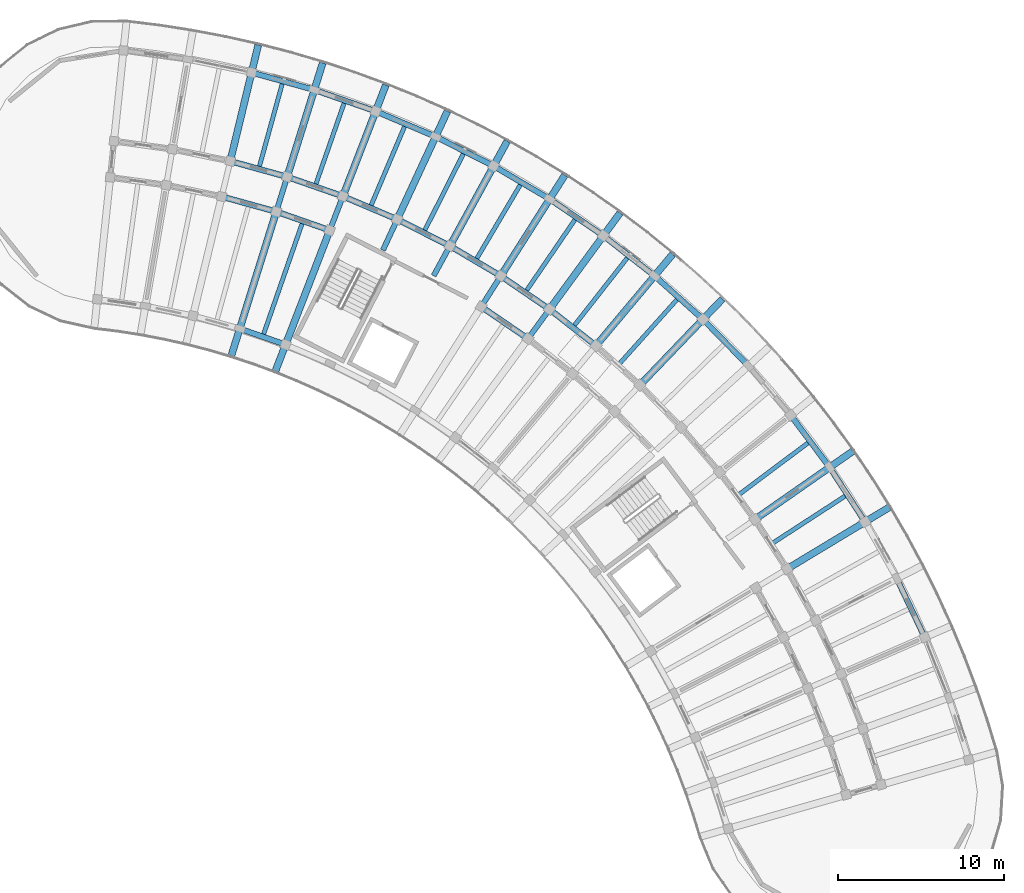
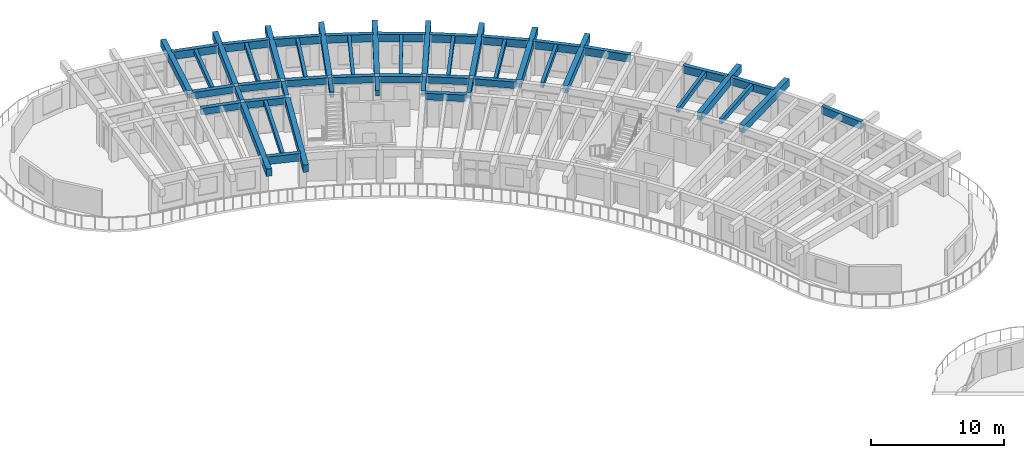
# One storey, part 28 of 81: 53 beams.
"""IFC4 building model written with IfcOpenShell, lengths in metres."""

from ifc_helpers import new_model, si_unit, direction, frame, origin, origin_2d, place, context, subcontext, project, spatial, rectangle, extrude, material, material_profile, profile_set, type_object, element, save


model = new_model("IFC4")

# Units and contexts
model_context = context("Model", 3, precision=1e-05, world=origin(), true_north=direction((0.0, 1.0)))
body_context = subcontext(model_context, "Body", "Model", "MODEL_VIEW")
ifc_project = project(units=[si_unit("LENGTHUNIT", "METRE"), si_unit("AREAUNIT", "SQUARE_METRE"), si_unit("VOLUMEUNIT", "CUBIC_METRE"), si_unit("PLANEANGLEUNIT", "RADIAN"), si_unit("MASSUNIT", "GRAM", prefix="KILO")], contexts=[model_context])

# Site, building, storey
site_placement = place(None, origin())
site = spatial("IfcSite", under=ifc_project, at=site_placement, CompositionType="ELEMENT")
building_placement = place(site_placement, origin())
building = spatial("IfcBuilding", under=site, at=building_placement, Name="Tanwirah Colonnade Gardens", CompositionType="ELEMENT")
storey_placement = place(building_placement, frame((0.0, 0.0, 18.919921875)))
storey = spatial("IfcBuildingStorey", under=building, at=storey_placement, Name="L05", CompositionType="ELEMENT", Elevation=18.919921875)

# Beams
ifc_material_1 = material(Name="Precast concrete C40/50", Category="concrete")
ifc_material_profile_1 = material_profile(ifc_material_1, rectangle(XDim=0.320068359375, YDim=0.52001953125, at=origin_2d()), Name="PC-BM 320x520")
ifc_profile_set_1 = profile_set([ifc_material_profile_1], Name="Precast concrete C40/50")
beam_type_1 = type_object("IfcBeamType", Name="BM-PC320", PredefinedType="BEAM", material=ifc_profile_set_1)
beam_1_placement = place(storey_placement, frame((151.727783203125, 102.14990234375, 2.85009765625), z_axis=(0.590895676149, 0.806747977939, 0.0), x_axis=(-0.806747977939, 0.590895676149, 0.0)))
element("IfcBeam", 1, at=beam_1_placement, inside=storey, type_object=beam_type_1, Name="Block B L05 Corridor Tie Beam 10", PredefinedType="BEAM", context=body_context, shape_type="SweptSolid", body=[
    extrude(rectangle(XDim=0.320068359375, YDim=0.52001953125, at=origin_2d()), origin(), (0.0, 0.0, 1.0), 1.900146484375),
])
for number, where, z_axis, x_axis, name in (
    (2, (148.89697265625, 104.08349609375, 2.85009765625), (0.536509579595, 0.843894229749, 0.0), (-0.843894229749, 0.536509579595, 0.0), "Block B L05 Corridor Tie Beam 11"),
    (3, (145.945068359375, 105.826171875, 2.85009765625), (0.479707235792, 0.877428611301, 0.0), (-0.877428611301, 0.479707235792, 0.0), "Block B L05 Corridor Tie Beam 12"),
    (4, (142.884765625, 107.37060546875, 2.85009765625), (0.420858322681, 0.90712638162, 0.0), (-0.90712638162, 0.420858322681, 0.0), "Block B L05 Corridor Tie Beam 13"),
    (5, (139.729248046875, 108.7099609375, 2.85009765625), (0.360175656082, 0.932884503444, 0.0), (-0.932884503444, 0.360175656082, 0.0), "Block B L05 Corridor Tie Beam 14"),
    (6, (136.492431640625, 109.838623046875, 2.85009765625), (0.297857918398, 0.954610213882, 0.0), (-0.954610213882, 0.297857918398, 0.0), "Block B L05 Corridor Tie Beam 15"),
):
    element("IfcBeam", number, at=place(storey_placement, frame(where, z_axis=z_axis, x_axis=x_axis)), inside=storey, type_object=beam_type_1, Name=name, PredefinedType="BEAM", context=body_context, shape_type="SweptSolid", body=[
        extrude(rectangle(XDim=0.320068359375, YDim=0.52001953125, at=origin_2d()), origin(), (0.0, 0.0, 1.0), 1.89990234375),
    ])
ifc_material_profile_2 = material_profile(ifc_material_1, rectangle(XDim=0.35009765625, YDim=0.60009765625, at=origin_2d()), Name="PC-BM 350x600")
ifc_profile_set_2 = profile_set([ifc_material_profile_2], Name="Precast concrete C40/50")
beam_type_2 = type_object("IfcBeamType", Name="BM-PC350B", PredefinedType="BEAM", material=ifc_profile_set_2)
beam_2_placement = place(storey_placement, frame((155.624755859375, 101.697265625, 2.81005859375), z_axis=(-0.786839882256, 0.617157192044, 0.0), x_axis=(-0.617157192044, -0.786839882256, 0.0)))
element("IfcBeam", 7, at=beam_2_placement, inside=storey, type_object=beam_type_2, Name="Block B L05 Circumferential Beam 9-R2", PredefinedType="BEAM", context=body_context, shape_type="SweptSolid", body=[
    extrude(rectangle(XDim=0.35009765625, YDim=0.60009765625, at=origin_2d()), origin(), (0.0, 0.0, 1.0), 3.26318359375),
])
beam_3_placement = place(storey_placement, frame((151.515380859375, 102.113525390625, 2.81005859375), z_axis=(-0.825758291455, 0.564024152047, 0.0), x_axis=(-0.564024152047, -0.825758291455, 0.0)))
element("IfcBeam", 8, at=beam_3_placement, inside=storey, type_object=beam_type_2, Name="Block B L05 Circumferential Beam 10-R1", PredefinedType="BEAM", context=body_context, shape_type="SweptSolid", body=[
    extrude(rectangle(XDim=0.35009765625, YDim=0.60009765625, at=origin_2d()), origin(), (0.0, 0.0, 1.0), 3.118408203125),
])
for number, where, z_axis, x_axis, name in (
    (9, (152.815185546875, 103.888427734375, 2.81005859375), (-0.825782284145, 0.563989024, 0.0), (-0.563989024, -0.825782284145, 0.0), "Block B L05 Circumferential Beam 10-R2"),
    (10, (149.86767578125, 105.8896484375, 2.81005859375), (-0.861134978964, 0.508376384193, 0.0), (-0.508376384193, -0.861134978964, 0.0), "Block B L05 Circumferential Beam 11-R2"),
    (11, (146.794677734375, 107.6923828125, 2.81005859375), (-0.89276014323, 0.450532270387, 0.0), (-0.450532270387, -0.89276014323, 0.0), "Block B L05 Circumferential Beam 12-R2"),
):
    element("IfcBeam", number, at=place(storey_placement, frame(where, z_axis=z_axis, x_axis=x_axis)), inside=storey, type_object=beam_type_2, Name=name, PredefinedType="BEAM", context=body_context, shape_type="SweptSolid", body=[
        extrude(rectangle(XDim=0.35009765625, YDim=0.60009765625, at=origin_2d()), origin(), (0.0, 0.0, 1.0), 3.26318359375),
    ])
beam_4_placement = place(storey_placement, frame((143.609375, 109.288818359375, 2.81005859375), z_axis=(-0.920513294115, 0.390711242938, 0.0), x_axis=(-0.390711242938, -0.920513294115, 0.0)))
element("IfcBeam", 12, at=beam_4_placement, inside=storey, type_object=beam_type_2, Name="Block B L05 Circumferential Beam 13-R2", PredefinedType="BEAM", context=body_context, shape_type="SweptSolid", body=[
    extrude(rectangle(XDim=0.35009765625, YDim=0.60009765625, at=origin_2d()), origin(), (0.0, 0.0, 1.0), 3.262939453125),
])
beam_5_placement = place(storey_placement, frame((139.53369140625, 108.619384765625, 2.81005859375), z_axis=(-0.944248304077, 0.329234172358, 0.0), x_axis=(-0.329234172358, -0.944248304077, 0.0)))
element("IfcBeam", 13, at=beam_5_placement, inside=storey, type_object=beam_type_2, Name="Block B L05 Circumferential Beam 14-R1", PredefinedType="BEAM", context=body_context, shape_type="SweptSolid", body=[
    extrude(rectangle(XDim=0.35009765625, YDim=0.60009765625, at=origin_2d()), origin(), (0.0, 0.0, 1.0), 3.1181640625),
])
beam_6_placement = place(storey_placement, frame((140.325927734375, 110.671630859375, 2.81005859375), z_axis=(-0.944231021702, 0.329283734272, 0.0), x_axis=(-0.329283734272, -0.944231021702, 0.0)))
element("IfcBeam", 14, at=beam_6_placement, inside=storey, type_object=beam_type_2, Name="Block B L05 Circumferential Beam 14-R2", PredefinedType="BEAM", context=body_context, shape_type="SweptSolid", body=[
    extrude(rectangle(XDim=0.35009765625, YDim=0.60009765625, at=origin_2d()), origin(), (0.0, 0.0, 1.0), 3.262939453125),
])
beam_7_placement = place(storey_placement, frame((136.302978515625, 109.7353515625, 2.81005859375), z_axis=(-0.963889412906, 0.266302834548, 0.0), x_axis=(-0.266302834548, -0.963889412906, 0.0)))
element("IfcBeam", 15, at=beam_7_placement, inside=storey, type_object=beam_type_2, Name="Block B L05 Circumferential Beam 15-R1", PredefinedType="BEAM", context=body_context, shape_type="SweptSolid", body=[
    extrude(rectangle(XDim=0.35009765625, YDim=0.60009765625, at=origin_2d()), origin(), (0.0, 0.0, 1.0), 3.117919921875),
])
beam_8_placement = place(storey_placement, frame((136.95849609375, 111.83544921875, 2.81005859375), z_axis=(-0.9638953302, 0.266281415833, 0.0), x_axis=(-0.266281415833, -0.9638953302, 0.0)))
element("IfcBeam", 16, at=beam_8_placement, inside=storey, type_object=beam_type_2, Name="Block B L05 Circumferential Beam 15-R2", PredefinedType="BEAM", context=body_context, shape_type="SweptSolid", body=[
    extrude(rectangle(XDim=0.35009765625, YDim=0.60009765625, at=origin_2d()), origin(), (0.0, 0.0, 1.0), 3.26318359375),
])
ifc_material_2 = material(Name="Precast concrete C45/55", Category="concrete")
ifc_material_profile_3 = material_profile(ifc_material_2, rectangle(XDim=0.419921875, YDim=0.679931640625, at=origin_2d()), Name="PC-BM 420x680")
ifc_profile_set_3 = profile_set([ifc_material_profile_3], Name="Precast concrete C45/55")
beam_type_3 = type_object("IfcBeamType", Name="BM-PC420", PredefinedType="BEAM", material=ifc_profile_set_3)
for number, where, z_axis, x_axis, name in (
    (17, (167.404296875, 88.205078125, 2.77001953125), (0.856157813984, 0.516714425533, 0.0), (-0.516714425533, 0.856157813984, 0.0), "Block B L05 Outer Radial Precast Girder 4"),
    (18, (165.458251953125, 91.20166015625, 2.77001953125), (0.820270158139, 0.571976282433, 0.0), (-0.571976282433, 0.820270158139, 0.0), "Block B L05 Outer Radial Precast Girder 5"),
    (19, (158.4990234375, 99.333984375, 2.77001953125), (0.691864746793, 0.722027127015, 0.0), (-0.722027127015, 0.691864746793, 0.0), "Block B L05 Outer Radial Precast Girder 8"),
):
    element("IfcBeam", number, at=place(storey_placement, frame(where, z_axis=z_axis, x_axis=x_axis)), inside=storey, type_object=beam_type_3, Name=name, PredefinedType="BEAM", context=body_context, shape_type="SweptSolid", body=[
        extrude(rectangle(XDim=0.419921875, YDim=0.679931640625, at=origin_2d()), origin(), (0.0, 0.0, 1.0), 7.050048828125),
    ])
beam_9_placement = place(storey_placement, frame((155.839111328125, 101.7197265625, 2.77001953125), z_axis=(0.642810291951, 0.766025409867, 0.0), x_axis=(-0.766025409867, 0.642810291951, 0.0)))
element("IfcBeam", 20, at=beam_9_placement, inside=storey, type_object=beam_type_3, Name="Block B L05 Outer Radial Precast Girder 9", PredefinedType="BEAM", context=body_context, shape_type="SweptSolid", body=[
    extrude(rectangle(XDim=0.419921875, YDim=0.679931640625, at=origin_2d()), origin(), (0.0, 0.0, 1.0), 7.0498046875),
])
for number, where, z_axis, x_axis, name in (
    (21, (153.02783203125, 103.9248046875, 2.77001953125), (0.590919194225, 0.806730751798, 0.0), (-0.806730751798, 0.590919194225, 0.0), "Block B L05 Outer Radial Precast Girder 10"),
    (22, (150.077392578125, 105.93994140625, 2.77001953125), (0.536451921133, 0.843930883611, 0.0), (-0.843930883611, 0.536451921133, 0.0), "Block B L05 Outer Radial Precast Girder 11"),
    (23, (147.00048828125, 107.75634765625, 2.77001953125), (0.479686549155, 0.877439920769, 0.0), (-0.877439920769, 0.479686549155, 0.0), "Block B L05 Outer Radial Precast Girder 12"),
    (24, (143.810546875, 109.3662109375, 2.77001953125), (0.420855908645, 0.9071275016, 0.0), (-0.9071275016, 0.420855908645, 0.0), "Block B L05 Outer Radial Precast Girder 13"),
):
    element("IfcBeam", number, at=place(storey_placement, frame(where, z_axis=z_axis, x_axis=x_axis)), inside=storey, type_object=beam_type_3, Name=name, PredefinedType="BEAM", context=body_context, shape_type="SweptSolid", body=[
        extrude(rectangle(XDim=0.419921875, YDim=0.679931640625, at=origin_2d()), origin(), (0.0, 0.0, 1.0), 7.050048828125),
    ])
beam_10_placement = place(storey_placement, frame((139.62109375, 108.43017578125, 2.77001953125), z_axis=(-0.360155980892, -0.932892099563, 0.0), x_axis=(0.932892099563, -0.360155980892, 0.0)))
element("IfcBeam", 25, at=beam_10_placement, inside=storey, type_object=beam_type_3, Name="Block B L05 Inner Radial Precast Girder 14", PredefinedType="BEAM", context=body_context, shape_type="SweptSolid", body=[
    extrude(rectangle(XDim=0.419921875, YDim=0.679931640625, at=origin_2d()), origin(), (0.0, 0.0, 1.0), 8.949951171875),
])
beam_11_placement = place(storey_placement, frame((140.521728515625, 110.76220703125, 2.77001953125), z_axis=(0.360150678391, 0.932894146651, 0.0), x_axis=(-0.932894146651, 0.360150678391, 0.0)))
element("IfcBeam", 26, at=beam_11_placement, inside=storey, type_object=beam_type_3, Name="Block B L05 Outer Radial Precast Girder 14", PredefinedType="BEAM", context=body_context, shape_type="SweptSolid", body=[
    extrude(rectangle(XDim=0.419921875, YDim=0.679931640625, at=origin_2d()), origin(), (0.0, 0.0, 1.0), 7.050048828125),
])
beam_12_placement = place(storey_placement, frame((136.403076171875, 109.55224609375, 2.77001953125), z_axis=(-0.29792861283, -0.9545881529, 0.0), x_axis=(0.9545881529, -0.29792861283, 0.0)))
element("IfcBeam", 27, at=beam_12_placement, inside=storey, type_object=beam_type_3, Name="Block B L05 Inner Radial Precast Girder 15", PredefinedType="BEAM", context=body_context, shape_type="SweptSolid", body=[
    extrude(rectangle(XDim=0.419921875, YDim=0.679931640625, at=origin_2d()), origin(), (0.0, 0.0, 1.0), 8.9501953125),
])
beam_13_placement = place(storey_placement, frame((137.147705078125, 111.938720703125, 2.77001953125), z_axis=(0.297957513373, 0.954579132511, 0.0), x_axis=(-0.954579132511, 0.297957513373, 0.0)))
element("IfcBeam", 28, at=beam_13_placement, inside=storey, type_object=beam_type_3, Name="Block B L05 Outer Radial Precast Girder 15", PredefinedType="BEAM", context=body_context, shape_type="SweptSolid", body=[
    extrude(rectangle(XDim=0.419921875, YDim=0.679931640625, at=origin_2d()), origin(), (0.0, 0.0, 1.0), 7.050048828125),
])
beam_14_placement = place(storey_placement, frame((133.703857421875, 112.89013671875, 2.77001953125), z_axis=(0.234378734126, 0.972145364125, 0.0), x_axis=(-0.972145364125, 0.234378734126, 0.0)))
element("IfcBeam", 29, at=beam_14_placement, inside=storey, type_object=beam_type_3, Name="Block B L05 Outer Radial Precast Girder 16", PredefinedType="BEAM", context=body_context, shape_type="SweptSolid", body=[
    extrude(rectangle(XDim=0.419921875, YDim=0.679931640625, at=origin_2d()), origin(), (0.0, 0.0, 1.0), 7.0498046875),
])
ifc_material_profile_4 = material_profile(ifc_material_1, rectangle(XDim=0.260009765625, YDim=0.4599609375, at=origin_2d()), Name="PC-JST 260x460")
ifc_profile_set_4 = profile_set([ifc_material_profile_4], Name="Precast concrete C40/50")
beam_type_4 = type_object("IfcBeamType", Name="JST-PC260", PredefinedType="JOIST", material=ifc_profile_set_4)
beam_15_placement = place(storey_placement, frame((166.4306640625, 89.703125, 2.880126953125), z_axis=(0.83868742622, 0.544613074669, 0.0), x_axis=(-0.544613074669, 0.83868742622, 0.0)))
element("IfcBeam", 30, at=beam_15_placement, inside=storey, type_object=beam_type_4, Name="Block B L05 Precast Floor Joist 4", PredefinedType="JOIST", context=body_context, shape_type="SweptSolid", body=[
    extrude(rectangle(XDim=0.260009765625, YDim=0.4599609375, at=origin_2d()), origin(), (0.0, 0.0, 1.0), 5.26025390625),
])
for number, where, z_axis, x_axis, name in (
    (31, (164.38818359375, 92.63232421875, 2.880126953125), (0.800973647215, 0.598699604533, 0.0), (-0.598699604533, 0.800973647215, 0.0), "Block B L05 Precast Floor Joist 5"),
    (32, (157.168701171875, 100.5263671875, 2.880126953125), (0.667678987176, 0.744449306591, 0.0), (-0.744449306591, 0.667678987176, 0.0), "Block B L05 Precast Floor Joist 8"),
    (33, (154.43310546875, 102.82177734375, 2.880126953125), (0.617177687243, 0.786823806433, 0.0), (-0.786823806433, 0.617177687243, 0.0), "Block B L05 Precast Floor Joist 9"),
    (34, (151.55224609375, 104.931884765625, 2.880126953125), (0.563973225998, 0.825793073571, 0.0), (-0.825793073571, 0.563973225998, 0.0), "Block B L05 Precast Floor Joist 10"),
):
    element("IfcBeam", number, at=place(storey_placement, frame(where, z_axis=z_axis, x_axis=x_axis)), inside=storey, type_object=beam_type_4, Name=name, PredefinedType="JOIST", context=body_context, shape_type="SweptSolid", body=[
        extrude(rectangle(XDim=0.260009765625, YDim=0.4599609375, at=origin_2d()), origin(), (0.0, 0.0, 1.0), 5.260009765625),
    ])
for number, where, z_axis, x_axis, name in (
    (35, (148.53857421875, 106.84765625, 2.880126953125), (0.508360236823, 0.86114451146, 0.0), (-0.86114451146, 0.508360236823, 0.0), "Block B L05 Precast Floor Joist 11"),
    (36, (145.4052734375, 108.560791015625, 2.880126953125), (0.450533699488, 0.892759422031, 0.0), (-0.892759422031, 0.450533699488, 0.0), "Block B L05 Precast Floor Joist 12"),
):
    element("IfcBeam", number, at=place(storey_placement, frame(where, z_axis=z_axis, x_axis=x_axis)), inside=storey, type_object=beam_type_4, Name=name, PredefinedType="JOIST", context=body_context, shape_type="SweptSolid", body=[
        extrude(rectangle(XDim=0.260009765625, YDim=0.4599609375, at=origin_2d()), origin(), (0.0, 0.0, 1.0), 5.26025390625),
    ])
for number, where, z_axis, x_axis, name in (
    (37, (142.166015625, 110.063720703125, 2.880126953125), (0.390723870106, 0.92050793442, 0.0), (-0.92050793442, 0.390723870106, 0.0), "Block B L05 Precast Floor Joist 13"),
    (38, (138.83447265625, 111.349853515625, 2.880126953125), (0.3292586038, 0.944239785131, 0.0), (-0.944239785131, 0.3292586038, 0.0), "Block B L05 Precast Floor Joist 14"),
):
    element("IfcBeam", number, at=place(storey_placement, frame(where, z_axis=z_axis, x_axis=x_axis)), inside=storey, type_object=beam_type_4, Name=name, PredefinedType="JOIST", context=body_context, shape_type="SweptSolid", body=[
        extrude(rectangle(XDim=0.260009765625, YDim=0.4599609375, at=origin_2d()), origin(), (0.0, 0.0, 1.0), 5.260009765625),
    ])
beam_16_placement = place(storey_placement, frame((135.673828125, 102.28515625, 2.880126953125), z_axis=(0.329250558112, 0.944242590642, 0.0), x_axis=(-0.944242590642, 0.329250558112, 0.0)))
element("IfcBeam", 39, at=beam_16_placement, inside=storey, type_object=beam_type_4, Name="Block B L05 Inner Precast Floor Joist 14", PredefinedType="JOIST", context=body_context, shape_type="SweptSolid", body=[
    extrude(rectangle(XDim=0.260009765625, YDim=0.4599609375, at=origin_2d()), origin(), (0.0, 0.0, 1.0), 7.159912109375),
])
beam_17_placement = place(storey_placement, frame((135.42578125, 112.413818359375, 2.880126953125), z_axis=(0.266281476085, 0.963895313555, 0.0), x_axis=(-0.963895313555, 0.266281476085, 0.0)))
element("IfcBeam", 40, at=beam_17_placement, inside=storey, type_object=beam_type_4, Name="Block B L05 Precast Floor Joist 15", PredefinedType="JOIST", context=body_context, shape_type="SweptSolid", body=[
    extrude(rectangle(XDim=0.260009765625, YDim=0.4599609375, at=origin_2d()), origin(), (0.0, 0.0, 1.0), 5.260009765625),
])
ifc_material_profile_5 = material_profile(ifc_material_1, rectangle(XDim=0.3349609375, YDim=0.695068359375, at=origin_2d()), Name="PC-SP 335x695")
ifc_profile_set_5 = profile_set([ifc_material_profile_5], Name="Precast concrete C40/50")
beam_type_5 = type_object("IfcBeamType", Name="SP-PC300", PredefinedType="SPANDREL", material=ifc_profile_set_5)
for number, where, z_axis, x_axis, name in (
    (41, (175.5234375, 84.1337890625, 2.7626953125), (-0.429593766142, 0.903022256698, 0.0), (-0.903022256698, -0.429593766142, 0.0), "Block B L05 Circumferential Beam 2-R3"),
    (42, (171.903076171875, 91.09521484375, 2.7626953125), (-0.544621436184, 0.838681996497, 0.0), (-0.838681996497, -0.544621436184, 0.0), "Block B L05 Circumferential Beam 4-R3"),
    (43, (169.7568359375, 94.382080078125, 2.7626953125), (-0.598695554058, 0.800976674786, 0.0), (-0.800976674786, -0.598695554058, 0.0), "Block B L05 Circumferential Beam 5-R3"),
):
    element("IfcBeam", number, at=place(storey_placement, frame(where, z_axis=z_axis, x_axis=x_axis)), inside=storey, type_object=beam_type_5, Name=name, PredefinedType="SPANDREL", context=body_context, shape_type="SweptSolid", body=[
        extrude(rectangle(XDim=0.3349609375, YDim=0.695068359375, at=origin_2d()), origin(), (0.0, 0.0, 1.0), 3.625732421875),
    ])
beam_18_placement = place(storey_placement, frame((164.839111328125, 100.49609375, 2.7626953125), z_axis=(-0.698844493997, 0.715273635199, 0.0), x_axis=(-0.715273635199, -0.698844493997, 0.0)))
element("IfcBeam", 44, at=beam_18_placement, inside=storey, type_object=beam_type_5, Name="Block B L05 Circumferential Beam 7-R3", PredefinedType="SPANDREL", context=body_context, shape_type="SweptSolid", body=[
    extrude(rectangle(XDim=0.3349609375, YDim=0.695068359375, at=origin_2d()), origin(), (0.0, 0.0, 1.0), 3.6259765625),
])
beam_19_placement = place(storey_placement, frame((162.0888671875, 103.296875, 2.7626953125), z_axis=(-0.744444790955, 0.667684021989, 0.0), x_axis=(-0.667684021989, -0.744444790955, 0.0)))
element("IfcBeam", 45, at=beam_19_placement, inside=storey, type_object=beam_type_5, Name="Block B L05 Circumferential Beam 8-R3", PredefinedType="SPANDREL", context=body_context, shape_type="SweptSolid", body=[
    extrude(rectangle(XDim=0.3349609375, YDim=0.695068359375, at=origin_2d()), origin(), (0.0, 0.0, 1.0), 3.625732421875),
])
beam_20_placement = place(storey_placement, frame((159.159912109375, 105.91064453125, 2.7626953125), z_axis=(-0.786843799845, 0.617152197311, 0.0), x_axis=(-0.617152197311, -0.786843799845, 0.0)))
element("IfcBeam", 46, at=beam_20_placement, inside=storey, type_object=beam_type_5, Name="Block B L05 Circumferential Beam 9-R3", PredefinedType="SPANDREL", context=body_context, shape_type="SweptSolid", body=[
    extrude(rectangle(XDim=0.3349609375, YDim=0.695068359375, at=origin_2d()), origin(), (0.0, 0.0, 1.0), 3.62548828125),
])
for number, where, z_axis, x_axis, name in (
    (47, (156.0654296875, 108.325439453125, 2.7626953125), (-0.825782625102, 0.563988524776, 0.0), (-0.563988524776, -0.825782625102, 0.0), "Block B L05 Circumferential Beam 10-R3"),
    (48, (152.818359375, 110.53125, 2.7626953125), (-0.861136912545, 0.5083731089, 0.0), (-0.5083731089, -0.861136912545, 0.0), "Block B L05 Circumferential Beam 11-R3"),
):
    element("IfcBeam", number, at=place(storey_placement, frame(where, z_axis=z_axis, x_axis=x_axis)), inside=storey, type_object=beam_type_5, Name=name, PredefinedType="SPANDREL", context=body_context, shape_type="SweptSolid", body=[
        extrude(rectangle(XDim=0.3349609375, YDim=0.695068359375, at=origin_2d()), origin(), (0.0, 0.0, 1.0), 3.625732421875),
    ])
beam_21_placement = place(storey_placement, frame((149.43310546875, 112.518310546875, 2.7626953125), z_axis=(-0.892764670911, 0.450523298368, 0.0), x_axis=(-0.450523298368, -0.892764670911, 0.0)))
element("IfcBeam", 49, at=beam_21_placement, inside=storey, type_object=beam_type_5, Name="Block B L05 Circumferential Beam 12-R3", PredefinedType="SPANDREL", context=body_context, shape_type="SweptSolid", body=[
    extrude(rectangle(XDim=0.3349609375, YDim=0.695068359375, at=origin_2d()), origin(), (0.0, 0.0, 1.0), 3.6259765625),
])
beam_22_placement = place(storey_placement, frame((145.924072265625, 114.27783203125, 2.7626953125), z_axis=(-0.920494456807, 0.390755620545, 0.0), x_axis=(-0.390755620545, -0.920494456807, 0.0)))
element("IfcBeam", 50, at=beam_22_placement, inside=storey, type_object=beam_type_5, Name="Block B L05 Circumferential Beam 13-R3", PredefinedType="SPANDREL", context=body_context, shape_type="SweptSolid", body=[
    extrude(rectangle(XDim=0.3349609375, YDim=0.695068359375, at=origin_2d()), origin(), (0.0, 0.0, 1.0), 3.625732421875),
])
beam_23_placement = place(storey_placement, frame((136.8681640625, 101.716064453125, 2.7626953125), z_axis=(-0.944249847334, 0.32922974624, 0.0), x_axis=(-0.32922974624, -0.944249847334, 0.0)))
element("IfcBeam", 51, at=beam_23_placement, inside=storey, type_object=beam_type_5, Name="Block B L05 Circumferential Beam 14-R0", PredefinedType="SPANDREL", context=body_context, shape_type="SweptSolid", body=[
    extrude(rectangle(XDim=0.3349609375, YDim=0.695068359375, at=origin_2d()), origin(), (0.0, 0.0, 1.0), 2.63037109375),
])
for number, where, z_axis, x_axis, name in (
    (52, (142.306884765625, 115.802490234375, 2.7626953125), (-0.944236700093, 0.329267450863, 0.0), (-0.329267450863, -0.944236700093, 0.0), "Block B L05 Circumferential Beam 14-R3"),
    (53, (138.59716796875, 117.085693359375, 2.7626953125), (-0.963888380927, 0.266306569792, 0.0), (-0.266306569792, -0.963888380927, 0.0), "Block B L05 Circumferential Beam 15-R3"),
):
    element("IfcBeam", number, at=place(storey_placement, frame(where, z_axis=z_axis, x_axis=x_axis)), inside=storey, type_object=beam_type_5, Name=name, PredefinedType="SPANDREL", context=body_context, shape_type="SweptSolid", body=[
        extrude(rectangle(XDim=0.3349609375, YDim=0.695068359375, at=origin_2d()), origin(), (0.0, 0.0, 1.0), 3.625732421875),
    ])

save(model, "model.ifc")
